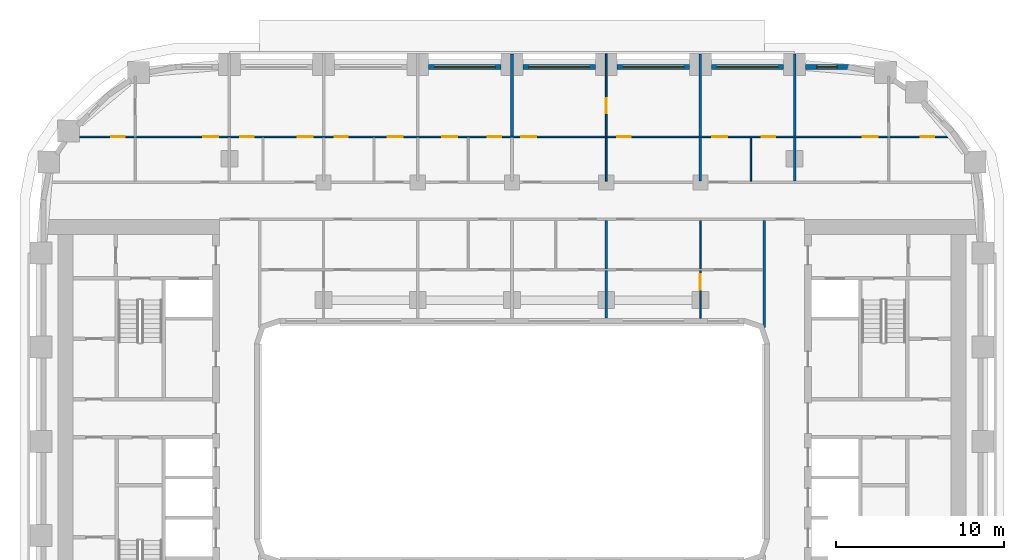
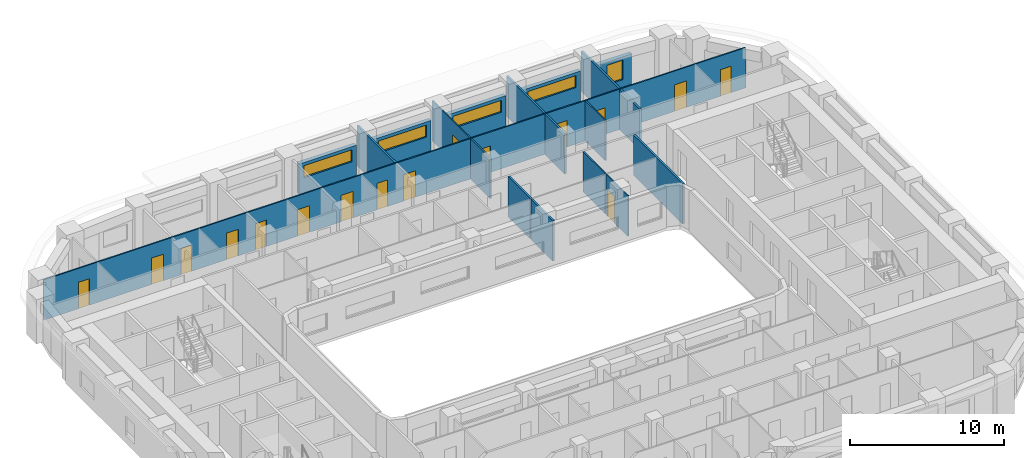
# One storey, part 9 of 21: 19 walls, 16 doors, 5 windows, 21 openings.
"""IFC4 building model written with IfcOpenShell, lengths in metres."""

from ifc_helpers import new_model, si_unit, direction, frame, frame_2d, origin, place, context, subcontext, project, spatial, rectangle, extrude, material, layer, layer_set, type_object, element, fill, save


model = new_model("IFC4")

# Units and contexts
model_context = context("Model", 3, precision=1e-05, world=origin(), true_north=direction((0.0, 1.0)))
body_context = subcontext(model_context, "Body", "Model", "MODEL_VIEW")
ifc_project = project(units=[si_unit("LENGTHUNIT", "METRE"), si_unit("AREAUNIT", "SQUARE_METRE"), si_unit("VOLUMEUNIT", "CUBIC_METRE"), si_unit("PLANEANGLEUNIT", "RADIAN"), si_unit("MASSUNIT", "GRAM", prefix="KILO")], contexts=[model_context])

# Site, building, storey
site_placement = place(None, origin())
site = spatial("IfcSite", under=ifc_project, at=site_placement, CompositionType="ELEMENT")
building_placement = place(site_placement, origin())
building = spatial("IfcBuilding", under=site, at=building_placement, Name="Kiln Ring Residences", CompositionType="ELEMENT")
storey_placement = place(building_placement, frame((0.0, 0.0, 93.800048828125)))
storey = spatial("IfcBuildingStorey", under=building, at=storey_placement, Name="L23", CompositionType="ELEMENT", Elevation=93.800048828125)

# Wall, opening, window
ifc_material_1 = material(Name="Brick masonry, dark clay brick", Category="masonry")
ifc_layer_1 = layer(ifc_material_1, 0.300048828125)
ifc_layer_set_1 = layer_set([ifc_layer_1], Name="EW-300 BRICK WALL")
wall_type_1 = type_object("IfcWallType", Name="EW-300 BRICK WALL", PredefinedType="SOLIDWALL", material=ifc_layer_set_1)
wall_1_placement = place(storey_placement, frame((20.0, 22.25, 0.0), z_axis=(0.0, 0.0, 1.0), x_axis=(-1.0, 0.0, 0.0)))
wall_1 = element("IfcWall", 1, at=wall_1_placement, inside=storey, type_object=wall_type_1, Name="Facade wall L23 28", PredefinedType="SOLIDWALL", context=body_context, shape_type="SweptSolid", body=[
    extrude(rectangle(XDim=2.550048828125, YDim=0.300048828125, at=frame_2d((1.27490234375, 0.0))), origin(), (0.0, 0.0, 1.0), 2.39990234375),
])
opening_1_placement = place(wall_1_placement, frame((0.675048828125, 0.0, 0.60009765625)))
opening_1 = element("IfcOpeningElement", 2, at=opening_1_placement, cuts=wall_1, Name="Opening W1", PredefinedType="OPENING", context=body_context, shape_type="SweptSolid", body=[
    extrude(rectangle(XDim=1.199951171875, YDim=1.550048828125, at=frame_2d((0.60009765625, 0.77490234375))), frame((0.0, 0.159912109375, 0.0), z_axis=(0.0, -1.0, 0.0), x_axis=(1.0, 0.0, 0.0)), (0.0, 0.0, 1.0), 0.320068359375),
])
ifc_material_2 = material(Name="Aluminium frame with double glazing", Category="aluminium")
window_type_1 = type_object("IfcWindowType", Name="WINDOW 1200 x 1550", PartitioningType="SINGLE_PANEL", PredefinedType="WINDOW", material=ifc_material_2)
window_1_placement = place(opening_1_placement, origin())
window_1 = element("IfcWindow", 3, at=window_1_placement, inside=storey, type_object=window_type_1, Name="Window L23 13", OverallHeight=1.550048828125, OverallWidth=1.199951171875, PartitioningType="SINGLE_PANEL", PredefinedType="WINDOW", context=body_context, shape_type="SweptSolid", body=[
    extrude(rectangle(XDim=1.199951171875, YDim=1.550048828125, at=frame_2d((0.60009765625, 0.77490234375))), frame((0.0, 0.030029296875, 0.0), z_axis=(0.0, -1.0, 0.0), x_axis=(1.0, 0.0, 0.0)), (0.0, 0.0, 1.0), 0.06005859375),
])
fill(opening_1, window_1)

wall_2_placement = place(storey_placement, frame((16.14990234375, 22.25, 0.0), z_axis=(0.0, 0.0, 1.0), x_axis=(-1.0, 0.0, 0.0)))
wall_2 = element("IfcWall", 4, at=wall_2_placement, inside=storey, type_object=wall_type_1, Name="Facade wall L23 29", PredefinedType="SOLIDWALL", context=body_context, shape_type="SweptSolid", body=[
    extrude(rectangle(XDim=4.2998046875, YDim=0.300048828125, at=frame_2d((2.14990234375, 0.0))), origin(), (0.0, 0.0, 1.0), 2.39990234375),
])
opening_2_placement = place(wall_2_placement, frame((0.35009765625, 0.0, 1.199951171875)))
opening_2 = element("IfcOpeningElement", 5, at=opening_2_placement, cuts=wall_2, Name="Opening W4", PredefinedType="OPENING", context=body_context, shape_type="SweptSolid", body=[
    extrude(rectangle(XDim=3.60009765625, YDim=0.949951171875, at=frame_2d((1.800048828125, 0.47509765625))), frame((0.0, 0.159912109375, 0.0), z_axis=(0.0, -1.0, 0.0), x_axis=(1.0, 0.0, 0.0)), (0.0, 0.0, 1.0), 0.320068359375),
])
ifc_material_3 = material(Name="Aluminium frame with double glazing", Category="aluminium")
window_type_2 = type_object("IfcWindowType", Name="WINDOW 3600 x 950", PartitioningType="SINGLE_PANEL", PredefinedType="WINDOW", material=ifc_material_3)
window_2_placement = place(opening_2_placement, origin())
window_2 = element("IfcWindow", 6, at=window_2_placement, inside=storey, type_object=window_type_2, Name="Window L23 14", OverallHeight=0.949951171875, OverallWidth=3.60009765625, PartitioningType="SINGLE_PANEL", PredefinedType="WINDOW", context=body_context, shape_type="SweptSolid", body=[
    extrude(rectangle(XDim=3.60009765625, YDim=0.949951171875, at=frame_2d((1.800048828125, 0.47509765625))), frame((0.0, 0.030029296875, 0.0), z_axis=(0.0, -1.0, 0.0), x_axis=(1.0, 0.0, 0.0)), (0.0, 0.0, 1.0), 0.06005859375),
])
fill(opening_2, window_2)

wall_3_placement = place(storey_placement, frame((10.550048828125, 22.25, 0.0), z_axis=(0.0, 0.0, 1.0), x_axis=(-1.0, 0.0, 0.0)))
wall_3 = element("IfcWall", 7, at=wall_3_placement, inside=storey, type_object=wall_type_1, Name="Facade wall L23 30", PredefinedType="SOLIDWALL", context=body_context, shape_type="SweptSolid", body=[
    extrude(rectangle(XDim=4.300048828125, YDim=0.300048828125, at=frame_2d((2.14990234375, 0.0))), origin(), (0.0, 0.0, 1.0), 2.39990234375),
])
opening_3_placement = place(wall_3_placement, frame((0.35009765625, 0.0, 1.199951171875)))
opening_3 = element("IfcOpeningElement", 8, at=opening_3_placement, cuts=wall_3, Name="Opening W4", PredefinedType="OPENING", context=body_context, shape_type="SweptSolid", body=[
    extrude(rectangle(XDim=3.60009765625, YDim=0.949951171875, at=frame_2d((1.800048828125, 0.47509765625))), frame((0.0, 0.159912109375, 0.0), z_axis=(0.0, -1.0, 0.0), x_axis=(1.0, 0.0, 0.0)), (0.0, 0.0, 1.0), 0.320068359375),
])
window_3_placement = place(opening_3_placement, origin())
window_3 = element("IfcWindow", 9, at=window_3_placement, inside=storey, type_object=window_type_2, Name="Window L23 15", OverallHeight=0.949951171875, OverallWidth=3.60009765625, PartitioningType="SINGLE_PANEL", PredefinedType="WINDOW", context=body_context, shape_type="SweptSolid", body=[
    extrude(rectangle(XDim=3.60009765625, YDim=0.949951171875, at=frame_2d((1.800048828125, 0.47509765625))), frame((0.0, 0.030029296875, 0.0), z_axis=(0.0, -1.0, 0.0), x_axis=(1.0, 0.0, 0.0)), (0.0, 0.0, 1.0), 0.06005859375),
])
fill(opening_3, window_3)

wall_4_placement = place(storey_placement, frame((4.949951171875, 22.25, 0.0), z_axis=(0.0, 0.0, 1.0), x_axis=(-1.0, 0.0, 0.0)))
wall_4 = element("IfcWall", 10, at=wall_4_placement, inside=storey, type_object=wall_type_1, Name="Facade wall L23 31", PredefinedType="SOLIDWALL", context=body_context, shape_type="SweptSolid", body=[
    extrude(rectangle(XDim=4.300048828125, YDim=0.300048828125, at=frame_2d((2.14990234375, 0.0))), origin(), (0.0, 0.0, 1.0), 2.39990234375),
])
opening_4_placement = place(wall_4_placement, frame((0.35009765625, 0.0, 1.199951171875)))
opening_4 = element("IfcOpeningElement", 11, at=opening_4_placement, cuts=wall_4, Name="Opening W4", PredefinedType="OPENING", context=body_context, shape_type="SweptSolid", body=[
    extrude(rectangle(XDim=3.60009765625, YDim=0.949951171875, at=frame_2d((1.800048828125, 0.47509765625))), frame((0.0, 0.159912109375, 0.0), z_axis=(0.0, -1.0, 0.0), x_axis=(1.0, 0.0, 0.0)), (0.0, 0.0, 1.0), 0.320068359375),
])
window_4_placement = place(opening_4_placement, origin())
window_4 = element("IfcWindow", 12, at=window_4_placement, inside=storey, type_object=window_type_2, Name="Window L23 16", OverallHeight=0.949951171875, OverallWidth=3.60009765625, PartitioningType="SINGLE_PANEL", PredefinedType="WINDOW", context=body_context, shape_type="SweptSolid", body=[
    extrude(rectangle(XDim=3.60009765625, YDim=0.949951171875, at=frame_2d((1.800048828125, 0.47509765625))), frame((0.0, 0.030029296875, 0.0), z_axis=(0.0, -1.0, 0.0), x_axis=(1.0, 0.0, 0.0)), (0.0, 0.0, 1.0), 0.06005859375),
])
fill(opening_4, window_4)

wall_5_placement = place(storey_placement, frame((-0.64990234375, 22.25, 0.0), z_axis=(0.0, 0.0, 1.0), x_axis=(-1.0, 0.0, 0.0)))
wall_5 = element("IfcWall", 13, at=wall_5_placement, inside=storey, type_object=wall_type_1, Name="Facade wall L23 32", PredefinedType="SOLIDWALL", context=body_context, shape_type="SweptSolid", body=[
    extrude(rectangle(XDim=4.300048828125, YDim=0.300048828125, at=frame_2d((2.14990234375, 0.0))), origin(), (0.0, 0.0, 1.0), 2.39990234375),
])
opening_5_placement = place(wall_5_placement, frame((0.35009765625, 0.0, 1.199951171875)))
opening_5 = element("IfcOpeningElement", 14, at=opening_5_placement, cuts=wall_5, Name="Opening W4", PredefinedType="OPENING", context=body_context, shape_type="SweptSolid", body=[
    extrude(rectangle(XDim=3.60009765625, YDim=0.949951171875, at=frame_2d((1.800048828125, 0.47509765625))), frame((0.0, 0.159912109375, 0.0), z_axis=(0.0, -1.0, 0.0), x_axis=(1.0, 0.0, 0.0)), (0.0, 0.0, 1.0), 0.320068359375),
])
window_5_placement = place(opening_5_placement, origin())
window_5 = element("IfcWindow", 15, at=window_5_placement, inside=storey, type_object=window_type_2, Name="Window L23 17", OverallHeight=0.949951171875, OverallWidth=3.60009765625, PartitioningType="SINGLE_PANEL", PredefinedType="WINDOW", context=body_context, shape_type="SweptSolid", body=[
    extrude(rectangle(XDim=3.60009765625, YDim=0.949951171875, at=frame_2d((1.800048828125, 0.47509765625))), frame((0.0, 0.030029296875, 0.0), z_axis=(0.0, -1.0, 0.0), x_axis=(1.0, 0.0, 0.0)), (0.0, 0.0, 1.0), 0.06005859375),
])
fill(opening_5, window_5)

# Wall, openings, doors
ifc_material_4 = material(Name="Gypsum board on steel studs", Category="steel")
ifc_layer_2 = layer(ifc_material_4, 0.10009765625)
ifc_layer_set_2 = layer_set([ifc_layer_2], Name="PARTITION-100")
wall_type_2 = type_object("IfcWallType", Name="PARTITION-100", PredefinedType="PARTITIONING", material=ifc_layer_set_2)
wall_6_placement = place(storey_placement, frame((-26.43994140625, 18.10009765625, 0.0), z_axis=(0.0, 0.0, 1.0), x_axis=(1.0, 0.0, 0.0)))
wall_6 = element("IfcWall", 16, at=wall_6_placement, inside=storey, type_object=wall_type_2, Name="Partition 007", PredefinedType="PARTITIONING", context=body_context, shape_type="SweptSolid", body=[
    extrude(rectangle(XDim=52.630126953125, YDim=0.10009765625, at=frame_2d((26.31494140625, 0.0))), origin(), (0.0, 0.0, 1.0), 3.199951171875),
])
opening_6_placement = place(wall_6_placement, frame((2.6259765625, 0.0, 0.0)))
opening_6 = element("IfcOpeningElement", 17, at=opening_6_placement, cuts=wall_6, Name="Opening L23-D020", PredefinedType="OPENING", context=body_context, shape_type="SweptSolid", body=[
    extrude(rectangle(XDim=0.800048828125, YDim=2.10009765625, at=frame_2d((0.39990234375, 1.050048828125))), frame((0.0, 0.06005859375, 0.0), z_axis=(0.0, -1.0, 0.0), x_axis=(1.0, 0.0, 0.0)), (0.0, 0.0, 1.0), 0.1201171875),
])
opening_7_placement = place(wall_6_placement, frame((8.090087890625, 0.0, 0.0)))
opening_7 = element("IfcOpeningElement", 18, at=opening_7_placement, cuts=wall_6, Name="Opening L23-D021", PredefinedType="OPENING", context=body_context, shape_type="SweptSolid", body=[
    extrude(rectangle(XDim=0.89990234375, YDim=2.10009765625, at=frame_2d((0.449951171875, 1.050048828125))), frame((0.0, 0.06005859375, 0.0), z_axis=(0.0, -1.0, 0.0), x_axis=(1.0, 0.0, 0.0)), (0.0, 0.0, 1.0), 0.1201171875),
])
opening_8_placement = place(wall_6_placement, frame((10.2900390625, 0.0, 0.0)))
opening_8 = element("IfcOpeningElement", 19, at=opening_8_placement, cuts=wall_6, Name="Opening L23-D024", PredefinedType="OPENING", context=body_context, shape_type="SweptSolid", body=[
    extrude(rectangle(XDim=0.800048828125, YDim=2.10009765625, at=frame_2d((0.39990234375, 1.050048828125))), frame((0.0, 0.06005859375, 0.0), z_axis=(0.0, -1.0, 0.0), x_axis=(1.0, 0.0, 0.0)), (0.0, 0.0, 1.0), 0.1201171875),
])
opening_9_placement = place(wall_6_placement, frame((13.68994140625, 0.0, 0.0)))
opening_9 = element("IfcOpeningElement", 20, at=opening_9_placement, cuts=wall_6, Name="Opening L23-D025", PredefinedType="OPENING", context=body_context, shape_type="SweptSolid", body=[
    extrude(rectangle(XDim=0.89990234375, YDim=2.10009765625, at=frame_2d((0.449951171875, 1.050048828125))), frame((0.0, 0.06005859375, 0.0), z_axis=(0.0, -1.0, 0.0), x_axis=(1.0, 0.0, 0.0)), (0.0, 0.0, 1.0), 0.1201171875),
])
opening_10_placement = place(wall_6_placement, frame((15.889892578125, 0.0, 0.0)))
opening_10 = element("IfcOpeningElement", 21, at=opening_10_placement, cuts=wall_6, Name="Opening L23-D027", PredefinedType="OPENING", context=body_context, shape_type="SweptSolid", body=[
    extrude(rectangle(XDim=0.800048828125, YDim=2.10009765625, at=frame_2d((0.39990234375, 1.050048828125))), frame((0.0, 0.06005859375, 0.0), z_axis=(0.0, -1.0, 0.0), x_axis=(1.0, 0.0, 0.0)), (0.0, 0.0, 1.0), 0.1201171875),
])
opening_11_placement = place(wall_6_placement, frame((19.0400390625, 0.0, 0.0)))
opening_11 = element("IfcOpeningElement", 22, at=opening_11_placement, cuts=wall_6, Name="Opening L23-D028", PredefinedType="OPENING", context=body_context, shape_type="SweptSolid", body=[
    extrude(rectangle(XDim=0.89990234375, YDim=2.10009765625, at=frame_2d((0.449951171875, 1.050048828125))), frame((0.0, 0.06005859375, 0.0), z_axis=(0.0, -1.0, 0.0), x_axis=(1.0, 0.0, 0.0)), (0.0, 0.0, 1.0), 0.1201171875),
])
opening_12_placement = place(wall_6_placement, frame((24.989990234375, 0.0, 0.0)))
opening_12 = element("IfcOpeningElement", 23, at=opening_12_placement, cuts=wall_6, Name="Opening L23-D030", PredefinedType="OPENING", context=body_context, shape_type="SweptSolid", body=[
    extrude(rectangle(XDim=0.800048828125, YDim=2.10009765625, at=frame_2d((0.39990234375, 1.050048828125))), frame((0.0, 0.06005859375, 0.0), z_axis=(0.0, -1.0, 0.0), x_axis=(1.0, 0.0, 0.0)), (0.0, 0.0, 1.0), 0.1201171875),
])
opening_13_placement = place(wall_6_placement, frame((22.2900390625, 0.0, 0.0)))
opening_13 = element("IfcOpeningElement", 24, at=opening_13_placement, cuts=wall_6, Name="Opening L23-D031", PredefinedType="OPENING", context=body_context, shape_type="SweptSolid", body=[
    extrude(rectangle(XDim=0.89990234375, YDim=2.10009765625, at=frame_2d((0.449951171875, 1.050048828125))), frame((0.0, 0.06005859375, 0.0), z_axis=(0.0, -1.0, 0.0), x_axis=(1.0, 0.0, 0.0)), (0.0, 0.0, 1.0), 0.1201171875),
])
opening_14_placement = place(wall_6_placement, frame((32.68994140625, 0.0, 0.0)))
opening_14 = element("IfcOpeningElement", 25, at=opening_14_placement, cuts=wall_6, Name="Opening L23-D033", PredefinedType="OPENING", context=body_context, shape_type="SweptSolid", body=[
    extrude(rectangle(XDim=0.800048828125, YDim=2.10009765625, at=frame_2d((0.39990234375, 1.050048828125))), frame((0.0, 0.06005859375, 0.0), z_axis=(0.0, -1.0, 0.0), x_axis=(1.0, 0.0, 0.0)), (0.0, 0.0, 1.0), 0.1201171875),
])
opening_15_placement = place(wall_6_placement, frame((26.989990234375, 0.0, 0.0)))
opening_15 = element("IfcOpeningElement", 26, at=opening_15_placement, cuts=wall_6, Name="Opening L23-D034", PredefinedType="OPENING", context=body_context, shape_type="SweptSolid", body=[
    extrude(rectangle(XDim=0.89990234375, YDim=2.10009765625, at=frame_2d((0.449951171875, 1.050048828125))), frame((0.0, 0.06005859375, 0.0), z_axis=(0.0, -1.0, 0.0), x_axis=(1.0, 0.0, 0.0)), (0.0, 0.0, 1.0), 0.1201171875),
])
opening_16_placement = place(wall_6_placement, frame((41.2900390625, 0.0, 0.0)))
opening_16 = element("IfcOpeningElement", 27, at=opening_16_placement, cuts=wall_6, Name="Opening L23-D037", PredefinedType="OPENING", context=body_context, shape_type="SweptSolid", body=[
    extrude(rectangle(XDim=0.800048828125, YDim=2.10009765625, at=frame_2d((0.39990234375, 1.050048828125))), frame((0.0, 0.06005859375, 0.0), z_axis=(0.0, -1.0, 0.0), x_axis=(1.0, 0.0, 0.0)), (0.0, 0.0, 1.0), 0.1201171875),
])
opening_17_placement = place(wall_6_placement, frame((38.340087890625, 0.0, 0.0)))
opening_17 = element("IfcOpeningElement", 28, at=opening_17_placement, cuts=wall_6, Name="Opening L23-D038", PredefinedType="OPENING", context=body_context, shape_type="SweptSolid", body=[
    extrude(rectangle(XDim=0.89990234375, YDim=2.10009765625, at=frame_2d((0.449951171875, 1.050048828125))), frame((0.0, 0.06005859375, 0.0), z_axis=(0.0, -1.0, 0.0), x_axis=(1.0, 0.0, 0.0)), (0.0, 0.0, 1.0), 0.1201171875),
])
opening_18_placement = place(wall_6_placement, frame((50.739990234375, 0.0, 0.0)))
opening_18 = element("IfcOpeningElement", 29, at=opening_18_placement, cuts=wall_6, Name="Opening L23-D040", PredefinedType="OPENING", context=body_context, shape_type="SweptSolid", body=[
    extrude(rectangle(XDim=0.800048828125, YDim=2.10009765625, at=frame_2d((0.39990234375, 1.050048828125))), frame((0.0, 0.06005859375, 0.0), z_axis=(0.0, -1.0, 0.0), x_axis=(1.0, 0.0, 0.0)), (0.0, 0.0, 1.0), 0.1201171875),
])
opening_19_placement = place(wall_6_placement, frame((47.2900390625, 0.0, 0.0)))
opening_19 = element("IfcOpeningElement", 30, at=opening_19_placement, cuts=wall_6, Name="Opening L23-D041", PredefinedType="OPENING", context=body_context, shape_type="SweptSolid", body=[
    extrude(rectangle(XDim=0.89990234375, YDim=2.10009765625, at=frame_2d((0.449951171875, 1.050048828125))), frame((0.0, 0.06005859375, 0.0), z_axis=(0.0, -1.0, 0.0), x_axis=(1.0, 0.0, 0.0)), (0.0, 0.0, 1.0), 0.1201171875),
])
ifc_material_5 = material(Name="Timber door leaf", Category="wood")
door_type_1 = type_object("IfcDoorType", Name="FLAT-DOOR-800-PL", OperationType="SINGLE_SWING_LEFT", PredefinedType="DOOR", material=ifc_material_5)
door_1_placement = place(opening_6_placement, origin())
door_1 = element("IfcDoor", 31, at=door_1_placement, inside=storey, type_object=door_type_1, Name="Door L23-D020", OperationType="SINGLE_SWING_RIGHT", OverallHeight=2.10009765625, OverallWidth=0.800048828125, PredefinedType="DOOR", context=body_context, shape_type="SweptSolid", body=[
    extrude(rectangle(XDim=0.800048828125, YDim=2.10009765625, at=frame_2d((0.39990234375, 1.050048828125))), frame((0.0, 0.02490234375, 0.0), z_axis=(0.0, -1.0, 0.0), x_axis=(1.0, 0.0, 0.0)), (0.0, 0.0, 1.0), 0.050048828125),
])
fill(opening_6, door_1)
door_2_placement = place(opening_8_placement, origin())
door_2 = element("IfcDoor", 32, at=door_2_placement, inside=storey, type_object=door_type_1, Name="Door L23-D024", OperationType="SINGLE_SWING_RIGHT", OverallHeight=2.10009765625, OverallWidth=0.800048828125, PredefinedType="DOOR", context=body_context, shape_type="SweptSolid", body=[
    extrude(rectangle(XDim=0.800048828125, YDim=2.10009765625, at=frame_2d((0.39990234375, 1.050048828125))), frame((0.0, 0.02490234375, 0.0), z_axis=(0.0, -1.0, 0.0), x_axis=(1.0, 0.0, 0.0)), (0.0, 0.0, 1.0), 0.050048828125),
])
fill(opening_8, door_2)
door_3_placement = place(opening_10_placement, origin())
door_3 = element("IfcDoor", 33, at=door_3_placement, inside=storey, type_object=door_type_1, Name="Door L23-D027", OperationType="SINGLE_SWING_LEFT", OverallHeight=2.10009765625, OverallWidth=0.800048828125, PredefinedType="DOOR", context=body_context, shape_type="SweptSolid", body=[
    extrude(rectangle(XDim=0.800048828125, YDim=2.10009765625, at=frame_2d((0.39990234375, 1.050048828125))), frame((0.0, 0.02490234375, 0.0), z_axis=(0.0, -1.0, 0.0), x_axis=(1.0, 0.0, 0.0)), (0.0, 0.0, 1.0), 0.050048828125),
])
fill(opening_10, door_3)
door_4_placement = place(opening_12_placement, origin())
door_4 = element("IfcDoor", 34, at=door_4_placement, inside=storey, type_object=door_type_1, Name="Door L23-D030", OperationType="SINGLE_SWING_RIGHT", OverallHeight=2.10009765625, OverallWidth=0.800048828125, PredefinedType="DOOR", context=body_context, shape_type="SweptSolid", body=[
    extrude(rectangle(XDim=0.800048828125, YDim=2.10009765625, at=frame_2d((0.39990234375, 1.050048828125))), frame((0.0, 0.02490234375, 0.0), z_axis=(0.0, -1.0, 0.0), x_axis=(1.0, 0.0, 0.0)), (0.0, 0.0, 1.0), 0.050048828125),
])
fill(opening_12, door_4)
door_5_placement = place(opening_14_placement, origin())
door_5 = element("IfcDoor", 35, at=door_5_placement, inside=storey, type_object=door_type_1, Name="Door L23-D033", OperationType="SINGLE_SWING_LEFT", OverallHeight=2.10009765625, OverallWidth=0.800048828125, PredefinedType="DOOR", context=body_context, shape_type="SweptSolid", body=[
    extrude(rectangle(XDim=0.800048828125, YDim=2.10009765625, at=frame_2d((0.39990234375, 1.050048828125))), frame((0.0, 0.02490234375, 0.0), z_axis=(0.0, -1.0, 0.0), x_axis=(1.0, 0.0, 0.0)), (0.0, 0.0, 1.0), 0.050048828125),
])
fill(opening_14, door_5)
door_6_placement = place(opening_16_placement, origin())
door_6 = element("IfcDoor", 36, at=door_6_placement, inside=storey, type_object=door_type_1, Name="Door L23-D037", OperationType="SINGLE_SWING_LEFT", OverallHeight=2.10009765625, OverallWidth=0.800048828125, PredefinedType="DOOR", context=body_context, shape_type="SweptSolid", body=[
    extrude(rectangle(XDim=0.800048828125, YDim=2.10009765625, at=frame_2d((0.39990234375, 1.050048828125))), frame((0.0, 0.02490234375, 0.0), z_axis=(0.0, -1.0, 0.0), x_axis=(1.0, 0.0, 0.0)), (0.0, 0.0, 1.0), 0.050048828125),
])
fill(opening_16, door_6)
door_7_placement = place(opening_18_placement, origin())
door_7 = element("IfcDoor", 37, at=door_7_placement, inside=storey, type_object=door_type_1, Name="Door L23-D040", OperationType="SINGLE_SWING_RIGHT", OverallHeight=2.10009765625, OverallWidth=0.800048828125, PredefinedType="DOOR", context=body_context, shape_type="SweptSolid", body=[
    extrude(rectangle(XDim=0.800048828125, YDim=2.10009765625, at=frame_2d((0.39990234375, 1.050048828125))), frame((0.0, 0.02490234375, 0.0), z_axis=(0.0, -1.0, 0.0), x_axis=(1.0, 0.0, 0.0)), (0.0, 0.0, 1.0), 0.050048828125),
])
fill(opening_18, door_7)
ifc_material_6 = material(Name="Timber door leaf", Category="wood")
door_type_2 = type_object("IfcDoorType", Name="FLAT-DOOR-900-PL", OperationType="SINGLE_SWING_LEFT", PredefinedType="DOOR", material=ifc_material_6)
door_8_placement = place(opening_7_placement, origin())
door_8 = element("IfcDoor", 38, at=door_8_placement, inside=storey, type_object=door_type_2, Name="Door L23-D021", OperationType="SINGLE_SWING_LEFT", OverallHeight=2.10009765625, OverallWidth=0.89990234375, PredefinedType="DOOR", context=body_context, shape_type="SweptSolid", body=[
    extrude(rectangle(XDim=0.89990234375, YDim=2.10009765625, at=frame_2d((0.449951171875, 1.050048828125))), frame((0.0, 0.02490234375, 0.0), z_axis=(0.0, -1.0, 0.0), x_axis=(1.0, 0.0, 0.0)), (0.0, 0.0, 1.0), 0.050048828125),
])
fill(opening_7, door_8)
door_9_placement = place(opening_9_placement, origin())
door_9 = element("IfcDoor", 39, at=door_9_placement, inside=storey, type_object=door_type_2, Name="Door L23-D025", OperationType="SINGLE_SWING_LEFT", OverallHeight=2.10009765625, OverallWidth=0.89990234375, PredefinedType="DOOR", context=body_context, shape_type="SweptSolid", body=[
    extrude(rectangle(XDim=0.89990234375, YDim=2.10009765625, at=frame_2d((0.449951171875, 1.050048828125))), frame((0.0, 0.02490234375, 0.0), z_axis=(0.0, -1.0, 0.0), x_axis=(1.0, 0.0, 0.0)), (0.0, 0.0, 1.0), 0.050048828125),
])
fill(opening_9, door_9)
door_10_placement = place(opening_11_placement, origin())
door_10 = element("IfcDoor", 40, at=door_10_placement, inside=storey, type_object=door_type_2, Name="Door L23-D028", OperationType="SINGLE_SWING_RIGHT", OverallHeight=2.10009765625, OverallWidth=0.89990234375, PredefinedType="DOOR", context=body_context, shape_type="SweptSolid", body=[
    extrude(rectangle(XDim=0.89990234375, YDim=2.10009765625, at=frame_2d((0.449951171875, 1.050048828125))), frame((0.0, 0.02490234375, 0.0), z_axis=(0.0, -1.0, 0.0), x_axis=(1.0, 0.0, 0.0)), (0.0, 0.0, 1.0), 0.050048828125),
])
fill(opening_11, door_10)
door_11_placement = place(opening_13_placement, origin())
door_11 = element("IfcDoor", 41, at=door_11_placement, inside=storey, type_object=door_type_2, Name="Door L23-D031", OperationType="SINGLE_SWING_LEFT", OverallHeight=2.10009765625, OverallWidth=0.89990234375, PredefinedType="DOOR", context=body_context, shape_type="SweptSolid", body=[
    extrude(rectangle(XDim=0.89990234375, YDim=2.10009765625, at=frame_2d((0.449951171875, 1.050048828125))), frame((0.0, 0.02490234375, 0.0), z_axis=(0.0, -1.0, 0.0), x_axis=(1.0, 0.0, 0.0)), (0.0, 0.0, 1.0), 0.050048828125),
])
fill(opening_13, door_11)
door_12_placement = place(opening_15_placement, origin())
door_12 = element("IfcDoor", 42, at=door_12_placement, inside=storey, type_object=door_type_2, Name="Door L23-D034", OperationType="SINGLE_SWING_RIGHT", OverallHeight=2.10009765625, OverallWidth=0.89990234375, PredefinedType="DOOR", context=body_context, shape_type="SweptSolid", body=[
    extrude(rectangle(XDim=0.89990234375, YDim=2.10009765625, at=frame_2d((0.449951171875, 1.050048828125))), frame((0.0, 0.02490234375, 0.0), z_axis=(0.0, -1.0, 0.0), x_axis=(1.0, 0.0, 0.0)), (0.0, 0.0, 1.0), 0.050048828125),
])
fill(opening_15, door_12)
door_13_placement = place(opening_17_placement, origin())
door_13 = element("IfcDoor", 43, at=door_13_placement, inside=storey, type_object=door_type_2, Name="Door L23-D038", OperationType="SINGLE_SWING_RIGHT", OverallHeight=2.10009765625, OverallWidth=0.89990234375, PredefinedType="DOOR", context=body_context, shape_type="SweptSolid", body=[
    extrude(rectangle(XDim=0.89990234375, YDim=2.10009765625, at=frame_2d((0.449951171875, 1.050048828125))), frame((0.0, 0.02490234375, 0.0), z_axis=(0.0, -1.0, 0.0), x_axis=(1.0, 0.0, 0.0)), (0.0, 0.0, 1.0), 0.050048828125),
])
fill(opening_17, door_13)
door_14_placement = place(opening_19_placement, origin())
door_14 = element("IfcDoor", 44, at=door_14_placement, inside=storey, type_object=door_type_2, Name="Door L23-D041", OperationType="SINGLE_SWING_LEFT", OverallHeight=2.10009765625, OverallWidth=0.89990234375, PredefinedType="DOOR", context=body_context, shape_type="SweptSolid", body=[
    extrude(rectangle(XDim=0.89990234375, YDim=2.10009765625, at=frame_2d((0.449951171875, 1.050048828125))), frame((0.0, 0.02490234375, 0.0), z_axis=(0.0, -1.0, 0.0), x_axis=(1.0, 0.0, 0.0)), (0.0, 0.0, 1.0), 0.050048828125),
])
fill(opening_19, door_14)

# Wall
wall_7_placement = place(storey_placement, frame((5.60009765625, 15.47509765625, 0.0), z_axis=(0.0, 0.0, 1.0), x_axis=(0.0, 1.0, 0.0)))
element("IfcWall", 45, at=wall_7_placement, inside=storey, type_object=wall_type_2, Name="Partition 053", PredefinedType="PARTITIONING", context=body_context, shape_type="SweptSolid", body=[
    extrude(rectangle(XDim=2.574951171875, YDim=0.10009765625, at=frame_2d((1.28759765625, 0.0))), origin(), (0.0, 0.0, 1.0), 3.199951171875),
])

# Wall, opening, door
wall_8_placement = place(storey_placement, frame((5.60009765625, 18.14990234375, 0.0), z_axis=(0.0, 0.0, 1.0), x_axis=(0.0, 1.0, 0.0)))
wall_8 = element("IfcWall", 46, at=wall_8_placement, inside=storey, type_object=wall_type_2, Name="Partition 054", PredefinedType="PARTITIONING", context=body_context, shape_type="SweptSolid", body=[
    extrude(rectangle(XDim=4.880126953125, YDim=0.10009765625, at=frame_2d((2.43994140625, 0.0))), origin(), (0.0, 0.0, 1.0), 3.199951171875),
])
opening_20_placement = place(wall_8_placement, frame((1.35009765625, 0.0, 0.0)))
opening_20 = element("IfcOpeningElement", 47, at=opening_20_placement, cuts=wall_8, Name="Opening L23-D035", PredefinedType="OPENING", context=body_context, shape_type="SweptSolid", body=[
    extrude(rectangle(XDim=0.89990234375, YDim=2.10009765625, at=frame_2d((0.449951171875, 1.050048828125))), frame((0.0, 0.06005859375, 0.0), z_axis=(0.0, -1.0, 0.0), x_axis=(1.0, 0.0, 0.0)), (0.0, 0.0, 1.0), 0.1201171875),
])
door_15_placement = place(opening_20_placement, origin())
door_15 = element("IfcDoor", 48, at=door_15_placement, inside=storey, type_object=door_type_2, Name="Door L23-D035", OperationType="SINGLE_SWING_LEFT", OverallHeight=2.10009765625, OverallWidth=0.89990234375, PredefinedType="DOOR", context=body_context, shape_type="SweptSolid", body=[
    extrude(rectangle(XDim=0.89990234375, YDim=2.10009765625, at=frame_2d((0.449951171875, 1.050048828125))), frame((0.0, 0.02490234375, 0.0), z_axis=(0.0, -1.0, 0.0), x_axis=(1.0, 0.0, 0.0)), (0.0, 0.0, 1.0), 0.050048828125),
])
fill(opening_20, door_15)

wall_9_placement = place(storey_placement, frame((11.199951171875, 7.320068359375, 0.0), z_axis=(0.0, 0.0, 1.0), x_axis=(0.0, 1.0, 0.0)))
wall_9 = element("IfcWall", 49, at=wall_9_placement, inside=storey, type_object=wall_type_2, Name="Partition 062", PredefinedType="PARTITIONING", context=body_context, shape_type="SweptSolid", body=[
    extrude(rectangle(XDim=2.829833984375, YDim=0.10009765625, at=frame_2d((1.4150390625, 0.0))), origin(), (0.0, 0.0, 1.0), 3.199951171875),
])
opening_21_placement = place(wall_9_placement, frame((1.699951171875, 0.0, 0.0)))
opening_21 = element("IfcOpeningElement", 50, at=opening_21_placement, cuts=wall_9, Name="Opening L23-D018", PredefinedType="OPENING", context=body_context, shape_type="SweptSolid", body=[
    extrude(rectangle(XDim=0.89990234375, YDim=2.10009765625, at=frame_2d((0.449951171875, 1.050048828125))), frame((0.0, 0.06005859375, 0.0), z_axis=(0.0, -1.0, 0.0), x_axis=(1.0, 0.0, 0.0)), (0.0, 0.0, 1.0), 0.1201171875),
])
door_16_placement = place(opening_21_placement, origin())
door_16 = element("IfcDoor", 51, at=door_16_placement, inside=storey, type_object=door_type_2, Name="Door L23-D018", OperationType="SINGLE_SWING_RIGHT", OverallHeight=2.10009765625, OverallWidth=0.89990234375, PredefinedType="DOOR", context=body_context, shape_type="SweptSolid", body=[
    extrude(rectangle(XDim=0.89990234375, YDim=2.10009765625, at=frame_2d((0.449951171875, 1.050048828125))), frame((0.0, 0.02490234375, 0.0), z_axis=(0.0, -1.0, 0.0), x_axis=(1.0, 0.0, 0.0)), (0.0, 0.0, 1.0), 0.050048828125),
])
fill(opening_21, door_16)

# Walls
wall_10_placement = place(storey_placement, frame((11.199951171875, 10.25, 0.0), z_axis=(0.0, 0.0, 1.0), x_axis=(0.0, 1.0, 0.0)))
element("IfcWall", 52, at=wall_10_placement, inside=storey, type_object=wall_type_2, Name="Partition 063", PredefinedType="PARTITIONING", context=body_context, shape_type="SweptSolid", body=[
    extrude(rectangle(XDim=2.875, YDim=0.10009765625, at=frame_2d((1.4375, 0.0))), origin(), (0.0, 0.0, 1.0), 3.199951171875),
])
wall_11_placement = place(storey_placement, frame((14.199951171875, 15.47509765625, 0.0), z_axis=(0.0, 0.0, 1.0), x_axis=(0.0, 1.0, 0.0)))
element("IfcWall", 53, at=wall_11_placement, inside=storey, type_object=wall_type_2, Name="Partition 069", PredefinedType="PARTITIONING", context=body_context, shape_type="SweptSolid", body=[
    extrude(rectangle(XDim=2.574951171875, YDim=0.10009765625, at=frame_2d((1.28759765625, 0.0))), origin(), (0.0, 0.0, 1.0), 3.199951171875),
])
ifc_material_7 = material(Name="Brick masonry partition", Category="masonry")
ifc_layer_3 = layer(ifc_material_7, 0.14990234375)
ifc_layer_set_3 = layer_set([ifc_layer_3], Name="PARTITION-150-ei60")
wall_type_3 = type_object("IfcWallType", Name="PARTITION-150-ei60", PredefinedType="PARTITIONING", material=ifc_layer_set_3)
wall_12_placement = place(storey_placement, frame((0.0, 18.14990234375, 0.0), z_axis=(0.0, 0.0, 1.0), x_axis=(0.0, 1.0, 0.0)))
element("IfcWall", 54, at=wall_12_placement, inside=storey, type_object=wall_type_3, Name="Partition 047", PredefinedType="PARTITIONING", context=body_context, shape_type="SweptSolid", body=[
    extrude(rectangle(XDim=4.880126953125, YDim=0.14990234375, at=frame_2d((2.43994140625, 0.0))), origin(), (0.0, 0.0, 1.0), 3.199951171875),
])
wall_13_placement = place(storey_placement, frame((5.60009765625, 7.320068359375, 0.0), z_axis=(0.0, 0.0, 1.0), x_axis=(0.0, 1.0, 0.0)))
element("IfcWall", 55, at=wall_13_placement, inside=storey, type_object=wall_type_3, Name="Partition 057", PredefinedType="PARTITIONING", context=body_context, shape_type="SweptSolid", body=[
    extrude(rectangle(XDim=2.829833984375, YDim=0.14990234375, at=frame_2d((1.4150390625, 0.0))), origin(), (0.0, 0.0, 1.0), 3.199951171875),
])
wall_14_placement = place(storey_placement, frame((5.60009765625, 10.25, 0.0), z_axis=(0.0, 0.0, 1.0), x_axis=(0.0, 1.0, 0.0)))
element("IfcWall", 56, at=wall_14_placement, inside=storey, type_object=wall_type_3, Name="Partition 058", PredefinedType="PARTITIONING", context=body_context, shape_type="SweptSolid", body=[
    extrude(rectangle(XDim=2.875, YDim=0.14990234375, at=frame_2d((1.4375, 0.0))), origin(), (0.0, 0.0, 1.0), 3.199951171875),
])
wall_15_placement = place(storey_placement, frame((11.199951171875, 15.47509765625, 0.0), z_axis=(0.0, 0.0, 1.0), x_axis=(0.0, 1.0, 0.0)))
element("IfcWall", 57, at=wall_15_placement, inside=storey, type_object=wall_type_3, Name="Partition 066", PredefinedType="PARTITIONING", context=body_context, shape_type="SweptSolid", body=[
    extrude(rectangle(XDim=2.574951171875, YDim=0.14990234375, at=frame_2d((1.28759765625, 0.0))), origin(), (0.0, 0.0, 1.0), 3.199951171875),
])
wall_16_placement = place(storey_placement, frame((11.199951171875, 18.14990234375, 0.0), z_axis=(0.0, 0.0, 1.0), x_axis=(0.0, 1.0, 0.0)))
element("IfcWall", 58, at=wall_16_placement, inside=storey, type_object=wall_type_3, Name="Partition 067", PredefinedType="PARTITIONING", context=body_context, shape_type="SweptSolid", body=[
    extrude(rectangle(XDim=4.880126953125, YDim=0.14990234375, at=frame_2d((2.43994140625, 0.0))), origin(), (0.0, 0.0, 1.0), 3.199951171875),
])
wall_17_placement = place(storey_placement, frame((15.0, 6.768798828125, 0.0), z_axis=(0.0, 0.0, 1.0), x_axis=(0.0, 1.0, 0.0)))
element("IfcWall", 59, at=wall_17_placement, inside=storey, type_object=wall_type_3, Name="Partition 071", PredefinedType="PARTITIONING", context=body_context, shape_type="SweptSolid", body=[
    extrude(rectangle(XDim=6.356201171875, YDim=0.14990234375, at=frame_2d((3.17822265625, 0.0))), origin(), (0.0, 0.0, 1.0), 3.199951171875),
])
wall_18_placement = place(storey_placement, frame((16.800048828125, 15.47509765625, 0.0), z_axis=(0.0, 0.0, 1.0), x_axis=(0.0, 1.0, 0.0)))
element("IfcWall", 60, at=wall_18_placement, inside=storey, type_object=wall_type_3, Name="Partition 074", PredefinedType="PARTITIONING", context=body_context, shape_type="SweptSolid", body=[
    extrude(rectangle(XDim=2.574951171875, YDim=0.14990234375, at=frame_2d((1.28759765625, 0.0))), origin(), (0.0, 0.0, 1.0), 3.199951171875),
])
wall_19_placement = place(storey_placement, frame((16.800048828125, 18.14990234375, 0.0), z_axis=(0.0, 0.0, 1.0), x_axis=(0.0, 1.0, 0.0)))
element("IfcWall", 61, at=wall_19_placement, inside=storey, type_object=wall_type_3, Name="Partition 075", PredefinedType="PARTITIONING", context=body_context, shape_type="SweptSolid", body=[
    extrude(rectangle(XDim=4.880126953125, YDim=0.14990234375, at=frame_2d((2.43994140625, 0.0))), origin(), (0.0, 0.0, 1.0), 3.199951171875),
])

save(model, "model.ifc")
